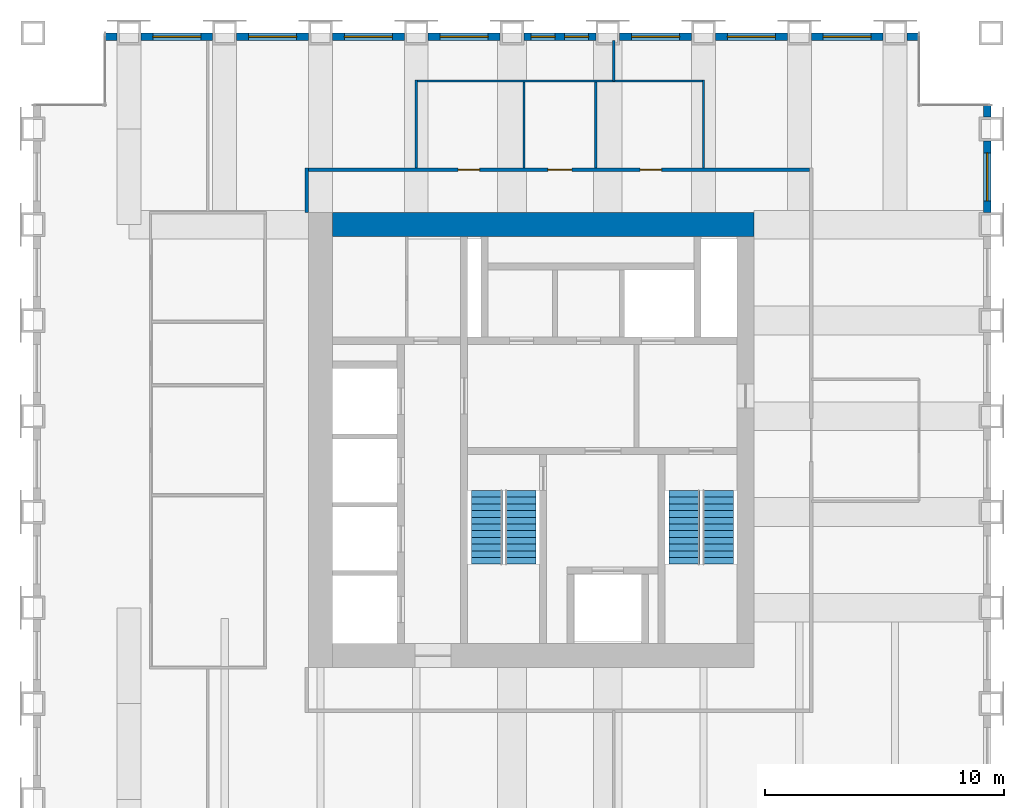
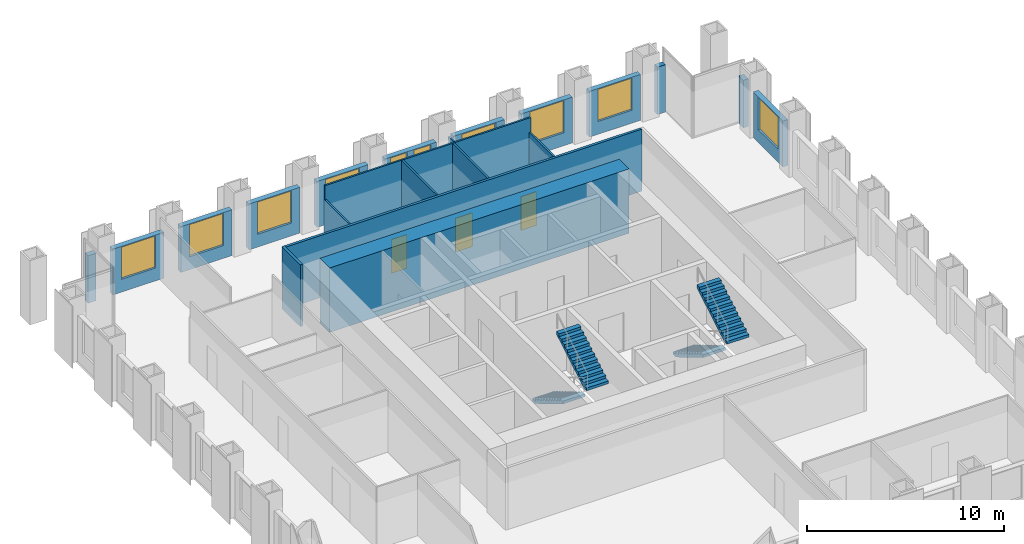
# One storey, part 9 of 10: 21 walls, 10 windows, 4 stair flights, 3 doors, 13 openings, 2 elements without a shape of their own.
"""IFC4 building model written with IfcOpenShell, lengths in metres."""

from ifc_helpers import new_model, si_unit, direction, frame, frame_2d, origin, place, context, subcontext, project, spatial, polyline, rectangle, outline, extrude, material, layer, layer_set, type_object, element, fill, aggregate, save


model = new_model("IFC4")

# Units and contexts
model_context = context("Model", 3, precision=1e-05, world=origin(), true_north=direction((0.0, 1.0)))
body_context = subcontext(model_context, "Body", "Model", "MODEL_VIEW")
ifc_project = project(units=[si_unit("LENGTHUNIT", "METRE"), si_unit("AREAUNIT", "SQUARE_METRE"), si_unit("VOLUMEUNIT", "CUBIC_METRE"), si_unit("PLANEANGLEUNIT", "RADIAN"), si_unit("MASSUNIT", "GRAM", prefix="KILO")], contexts=[model_context])

# Site, building, storey
site_placement = place(None, origin())
site = spatial("IfcSite", under=ifc_project, at=site_placement, CompositionType="ELEMENT")
building_placement = place(site_placement, origin())
building = spatial("IfcBuilding", under=site, at=building_placement, Name="Rimbunsela Tower", CompositionType="ELEMENT")
storey_placement = place(building_placement, frame((0.0, 0.0, 274.199951171875)))
storey = spatial("IfcBuildingStorey", under=building, at=storey_placement, Name="L66", CompositionType="ELEMENT", Elevation=274.199951171875)

# Walls
ifc_material_1 = material(Name="Concrete fc' 80 MPa", Category="concrete")
ifc_layer_1 = layer(ifc_material_1, 1.0)
ifc_layer_set_1 = layer_set([ifc_layer_1], Name="Core wall 1000")
wall_type_1 = type_object("IfcWallType", Name="Core wall 1000", PredefinedType="SHEAR", material=ifc_layer_set_1)
wall_1_placement = place(storey_placement, frame((18.5, 36.0, -0.14990234375), z_axis=(0.0, 0.0, 1.0), x_axis=(1.0, 0.0, 0.0)))
element("IfcWall", 1, at=wall_1_placement, inside=storey, type_object=wall_type_1, Name="Core wall north", PredefinedType="SHEAR", context=body_context, shape_type="SweptSolid", body=[
    extrude(rectangle(XDim=17.60009765625, YDim=1.0, at=frame_2d((8.800048828125, 0.0))), origin(), (0.0, 0.0, 1.0), 4.0),
])
ifc_material_2 = material(Name="Gypsum board on steel studs", Category="steel")
ifc_layer_2 = layer(ifc_material_2, 0.10009765625)
ifc_layer_set_2 = layer_set([ifc_layer_2], Name="Office partition 100")
wall_type_2 = type_object("IfcWallType", Name="Office partition 100", PredefinedType="PARTITIONING", material=ifc_layer_set_2)
wall_2_placement = place(storey_placement, frame((30.25, 43.699951171875, 0.0), z_axis=(0.0, 0.0, 1.0), x_axis=(0.0, -1.0, 0.0)))
element("IfcWall", 2, at=wall_2_placement, inside=storey, type_object=wall_type_2, Name="Office partition", PredefinedType="PARTITIONING", context=body_context, shape_type="SweptSolid", body=[
    extrude(rectangle(XDim=1.699951171875, YDim=0.10009765625, at=frame_2d((0.85009765625, 0.0))), origin(), (0.0, 0.0, 1.0), 2.949951171875),
])

# Wall, opening, window
ifc_material_3 = material(Name="Precast concrete fc' 35 MPa", Category="concrete")
ifc_layer_3 = layer(ifc_material_3, 0.300048828125)
ifc_layer_set_3 = layer_set([ifc_layer_3], Name="Precast concrete fc' 35 MPa")
wall_type_3 = type_object("IfcWallType", Name="Precast facade panel 300", PredefinedType="ELEMENTEDWALL", material=ifc_layer_set_3)
wall_3_placement = place(storey_placement, frame((45.85009765625, 36.5, 0.0), z_axis=(0.0, 0.0, 1.0), x_axis=(0.0, 1.0, 0.0)))
wall_3 = element("IfcWall", 3, at=wall_3_placement, inside=storey, type_object=wall_type_3, Name="Facade panel E L66", PredefinedType="ELEMENTEDWALL", context=body_context, shape_type="SweptSolid", body=[
    extrude(rectangle(XDim=3.0, YDim=0.300048828125, at=frame_2d((1.5, 0.0))), origin(), (0.0, 0.0, 1.0), 2.85009765625),
])
opening_1_placement = place(wall_3_placement, frame((0.5, 0.0, 0.800048828125)))
opening_1 = element("IfcOpeningElement", 4, at=opening_1_placement, cuts=wall_3, Name="Opening W1", PredefinedType="OPENING", context=body_context, shape_type="SweptSolid", body=[
    extrude(rectangle(XDim=2.0, YDim=2.0, at=frame_2d((1.0, 1.0))), frame((0.0, 0.159912109375, 0.0), z_axis=(0.0, -1.0, 0.0), x_axis=(1.0, 0.0, 0.0)), (0.0, 0.0, 1.0), 0.320068359375),
])
ifc_material_4 = material(Name="Clear glass in aluminium frame", Category="aluminium")
window_type_1 = type_object("IfcWindowType", Name="Window W1 2000x2000", PartitioningType="DOUBLE_PANEL_VERTICAL", PredefinedType="WINDOW", material=ifc_material_4)
window_1_placement = place(opening_1_placement, origin())
window_1 = element("IfcWindow", 5, at=window_1_placement, inside=storey, type_object=window_type_1, Name="Window L66", OverallHeight=2.0, OverallWidth=2.0, PartitioningType="SINGLE_PANEL", PredefinedType="WINDOW", context=body_context, shape_type="SweptSolid", body=[
    extrude(rectangle(XDim=2.0, YDim=2.0, at=frame_2d((1.0, 1.0))), frame((0.0, 0.030029296875, 0.0), z_axis=(0.0, -1.0, 0.0), x_axis=(1.0, 0.0, 0.0)), (0.0, 0.0, 1.0), 0.06005859375),
])
fill(opening_1, window_1)

# Walls
for number, where, z_axis, x_axis, name in (
    (6, (45.85009765625, 40.5, 0.0), (0.0, 0.0, 1.0), (0.0, 1.0, 0.0), "Facade panel E L66"),
    (7, (9.5, 43.85009765625, 0.0), (0.0, 0.0, 1.0), (-1.0, 0.0, 0.0), "Facade panel N L66"),
):
    element("IfcWall", number, at=place(storey_placement, frame(where, z_axis=z_axis, x_axis=x_axis)), inside=storey, type_object=wall_type_3, Name=name, PredefinedType="ELEMENTEDWALL", context=body_context, shape_type="SweptSolid", body=[
        extrude(rectangle(XDim=0.469970703125, YDim=0.300048828125, at=frame_2d((0.23486328125, 0.0))), origin(), (0.0, 0.0, 1.0), 2.949951171875),
    ])

# Wall, opening, window
wall_4_placement = place(storey_placement, frame((13.5, 43.85009765625, 0.0), z_axis=(0.0, 0.0, 1.0), x_axis=(-1.0, 0.0, 0.0)))
wall_4 = element("IfcWall", 8, at=wall_4_placement, inside=storey, type_object=wall_type_3, Name="Facade panel N L66", PredefinedType="ELEMENTEDWALL", context=body_context, shape_type="SweptSolid", body=[
    extrude(rectangle(XDim=3.0, YDim=0.300048828125, at=frame_2d((1.5, 0.0))), origin(), (0.0, 0.0, 1.0), 2.85009765625),
])
opening_2_placement = place(wall_4_placement, frame((0.5, 0.0, 0.800048828125)))
opening_2 = element("IfcOpeningElement", 9, at=opening_2_placement, cuts=wall_4, Name="Opening W1", PredefinedType="OPENING", context=body_context, shape_type="SweptSolid", body=[
    extrude(rectangle(XDim=2.0, YDim=2.0, at=frame_2d((1.0, 1.0))), frame((0.0, 0.159912109375, 0.0), z_axis=(0.0, -1.0, 0.0), x_axis=(1.0, 0.0, 0.0)), (0.0, 0.0, 1.0), 0.320068359375),
])
window_2_placement = place(opening_2_placement, origin())
window_2 = element("IfcWindow", 10, at=window_2_placement, inside=storey, type_object=window_type_1, Name="Window L66", OverallHeight=2.0, OverallWidth=2.0, PartitioningType="SINGLE_PANEL", PredefinedType="WINDOW", context=body_context, shape_type="SweptSolid", body=[
    extrude(rectangle(XDim=2.0, YDim=2.0, at=frame_2d((1.0, 1.0))), frame((0.0, 0.030029296875, 0.0), z_axis=(0.0, -1.0, 0.0), x_axis=(1.0, 0.0, 0.0)), (0.0, 0.0, 1.0), 0.06005859375),
])
fill(opening_2, window_2)

wall_5_placement = place(storey_placement, frame((17.5, 43.85009765625, 0.0), z_axis=(0.0, 0.0, 1.0), x_axis=(-1.0, 0.0, 0.0)))
wall_5 = element("IfcWall", 11, at=wall_5_placement, inside=storey, type_object=wall_type_3, Name="Facade panel N L66", PredefinedType="ELEMENTEDWALL", context=body_context, shape_type="SweptSolid", body=[
    extrude(rectangle(XDim=3.0, YDim=0.300048828125, at=frame_2d((1.5, 0.0))), origin(), (0.0, 0.0, 1.0), 2.85009765625),
])
opening_3_placement = place(wall_5_placement, frame((0.5, 0.0, 0.800048828125)))
opening_3 = element("IfcOpeningElement", 12, at=opening_3_placement, cuts=wall_5, Name="Opening W1", PredefinedType="OPENING", context=body_context, shape_type="SweptSolid", body=[
    extrude(rectangle(XDim=2.0, YDim=2.0, at=frame_2d((1.0, 1.0))), frame((0.0, 0.159912109375, 0.0), z_axis=(0.0, -1.0, 0.0), x_axis=(1.0, 0.0, 0.0)), (0.0, 0.0, 1.0), 0.320068359375),
])
window_3_placement = place(opening_3_placement, origin())
window_3 = element("IfcWindow", 13, at=window_3_placement, inside=storey, type_object=window_type_1, Name="Window L66", OverallHeight=2.0, OverallWidth=2.0, PartitioningType="SINGLE_PANEL", PredefinedType="WINDOW", context=body_context, shape_type="SweptSolid", body=[
    extrude(rectangle(XDim=2.0, YDim=2.0, at=frame_2d((1.0, 1.0))), frame((0.0, 0.030029296875, 0.0), z_axis=(0.0, -1.0, 0.0), x_axis=(1.0, 0.0, 0.0)), (0.0, 0.0, 1.0), 0.06005859375),
])
fill(opening_3, window_3)

wall_6_placement = place(storey_placement, frame((21.5, 43.85009765625, 0.0), z_axis=(0.0, 0.0, 1.0), x_axis=(-1.0, 0.0, 0.0)))
wall_6 = element("IfcWall", 14, at=wall_6_placement, inside=storey, type_object=wall_type_3, Name="Facade panel N L66", PredefinedType="ELEMENTEDWALL", context=body_context, shape_type="SweptSolid", body=[
    extrude(rectangle(XDim=3.0, YDim=0.300048828125, at=frame_2d((1.5, 0.0))), origin(), (0.0, 0.0, 1.0), 2.85009765625),
])
opening_4_placement = place(wall_6_placement, frame((0.5, 0.0, 0.800048828125)))
opening_4 = element("IfcOpeningElement", 15, at=opening_4_placement, cuts=wall_6, Name="Opening W1", PredefinedType="OPENING", context=body_context, shape_type="SweptSolid", body=[
    extrude(rectangle(XDim=2.0, YDim=2.0, at=frame_2d((1.0, 1.0))), frame((0.0, 0.159912109375, 0.0), z_axis=(0.0, -1.0, 0.0), x_axis=(1.0, 0.0, 0.0)), (0.0, 0.0, 1.0), 0.320068359375),
])
window_4_placement = place(opening_4_placement, origin())
window_4 = element("IfcWindow", 16, at=window_4_placement, inside=storey, type_object=window_type_1, Name="Window L66", OverallHeight=2.0, OverallWidth=2.0, PartitioningType="SINGLE_PANEL", PredefinedType="WINDOW", context=body_context, shape_type="SweptSolid", body=[
    extrude(rectangle(XDim=2.0, YDim=2.0, at=frame_2d((1.0, 1.0))), frame((0.0, 0.030029296875, 0.0), z_axis=(0.0, -1.0, 0.0), x_axis=(1.0, 0.0, 0.0)), (0.0, 0.0, 1.0), 0.06005859375),
])
fill(opening_4, window_4)

wall_7_placement = place(storey_placement, frame((25.5, 43.85009765625, 0.0), z_axis=(0.0, 0.0, 1.0), x_axis=(-1.0, 0.0, 0.0)))
wall_7 = element("IfcWall", 17, at=wall_7_placement, inside=storey, type_object=wall_type_3, Name="Facade panel N L66", PredefinedType="ELEMENTEDWALL", context=body_context, shape_type="SweptSolid", body=[
    extrude(rectangle(XDim=3.0, YDim=0.300048828125, at=frame_2d((1.5, 0.0))), origin(), (0.0, 0.0, 1.0), 2.85009765625),
])
opening_5_placement = place(wall_7_placement, frame((0.5, 0.0, 0.800048828125)))
opening_5 = element("IfcOpeningElement", 18, at=opening_5_placement, cuts=wall_7, Name="Opening W1", PredefinedType="OPENING", context=body_context, shape_type="SweptSolid", body=[
    extrude(rectangle(XDim=2.0, YDim=2.0, at=frame_2d((1.0, 1.0))), frame((0.0, 0.159912109375, 0.0), z_axis=(0.0, -1.0, 0.0), x_axis=(1.0, 0.0, 0.0)), (0.0, 0.0, 1.0), 0.320068359375),
])
window_5_placement = place(opening_5_placement, origin())
window_5 = element("IfcWindow", 19, at=window_5_placement, inside=storey, type_object=window_type_1, Name="Window L66", OverallHeight=2.0, OverallWidth=2.0, PartitioningType="SINGLE_PANEL", PredefinedType="WINDOW", context=body_context, shape_type="SweptSolid", body=[
    extrude(rectangle(XDim=2.0, YDim=2.0, at=frame_2d((1.0, 1.0))), frame((0.0, 0.030029296875, 0.0), z_axis=(0.0, -1.0, 0.0), x_axis=(1.0, 0.0, 0.0)), (0.0, 0.0, 1.0), 0.06005859375),
])
fill(opening_5, window_5)

# Wall, openings, windows
wall_8_placement = place(storey_placement, frame((29.5, 43.85009765625, 0.0), z_axis=(0.0, 0.0, 1.0), x_axis=(-1.0, 0.0, 0.0)))
wall_8 = element("IfcWall", 20, at=wall_8_placement, inside=storey, type_object=wall_type_3, Name="Facade panel N L66", PredefinedType="ELEMENTEDWALL", context=body_context, shape_type="SweptSolid", body=[
    extrude(rectangle(XDim=3.0, YDim=0.300048828125, at=frame_2d((1.5, 0.0))), origin(), (0.0, 0.0, 1.0), 2.85009765625),
])
opening_6_placement = place(wall_8_placement, frame((1.699951171875, 0.0, 0.800048828125)))
opening_6 = element("IfcOpeningElement", 21, at=opening_6_placement, cuts=wall_8, Name="Opening W5", PredefinedType="OPENING", context=body_context, shape_type="SweptSolid", body=[
    extrude(rectangle(XDim=1.0, YDim=2.0, at=frame_2d((0.5, 1.0))), frame((0.0, 0.159912109375, 0.0), z_axis=(0.0, -1.0, 0.0), x_axis=(1.0, 0.0, 0.0)), (0.0, 0.0, 1.0), 0.320068359375),
])
opening_7_placement = place(wall_8_placement, frame((0.300048828125, 0.0, 0.800048828125)))
opening_7 = element("IfcOpeningElement", 22, at=opening_7_placement, cuts=wall_8, Name="Opening W5", PredefinedType="OPENING", context=body_context, shape_type="SweptSolid", body=[
    extrude(rectangle(XDim=1.0, YDim=2.0, at=frame_2d((0.5, 1.0))), frame((0.0, 0.159912109375, 0.0), z_axis=(0.0, -1.0, 0.0), x_axis=(1.0, 0.0, 0.0)), (0.0, 0.0, 1.0), 0.320068359375),
])
ifc_material_5 = material(Name="Clear glass in aluminium frame", Category="aluminium")
window_type_2 = type_object("IfcWindowType", Name="Window W5 1000x2000", PartitioningType="SINGLE_PANEL", PredefinedType="WINDOW", material=ifc_material_5)
window_6_placement = place(opening_6_placement, origin())
window_6 = element("IfcWindow", 23, at=window_6_placement, inside=storey, type_object=window_type_2, Name="Window L66", OverallHeight=2.0, OverallWidth=1.0, PartitioningType="SINGLE_PANEL", PredefinedType="WINDOW", context=body_context, shape_type="SweptSolid", body=[
    extrude(rectangle(XDim=1.0, YDim=2.0, at=frame_2d((0.5, 1.0))), frame((0.0, 0.030029296875, 0.0), z_axis=(0.0, -1.0, 0.0), x_axis=(1.0, 0.0, 0.0)), (0.0, 0.0, 1.0), 0.06005859375),
])
fill(opening_6, window_6)
window_7_placement = place(opening_7_placement, origin())
window_7 = element("IfcWindow", 24, at=window_7_placement, inside=storey, type_object=window_type_2, Name="Window L66", OverallHeight=2.0, OverallWidth=1.0, PartitioningType="SINGLE_PANEL", PredefinedType="WINDOW", context=body_context, shape_type="SweptSolid", body=[
    extrude(rectangle(XDim=1.0, YDim=2.0, at=frame_2d((0.5, 1.0))), frame((0.0, 0.030029296875, 0.0), z_axis=(0.0, -1.0, 0.0), x_axis=(1.0, 0.0, 0.0)), (0.0, 0.0, 1.0), 0.06005859375),
])
fill(opening_7, window_7)

# Wall, opening, window
wall_9_placement = place(storey_placement, frame((33.5, 43.85009765625, 0.0), z_axis=(0.0, 0.0, 1.0), x_axis=(-1.0, 0.0, 0.0)))
wall_9 = element("IfcWall", 25, at=wall_9_placement, inside=storey, type_object=wall_type_3, Name="Facade panel N L66", PredefinedType="ELEMENTEDWALL", context=body_context, shape_type="SweptSolid", body=[
    extrude(rectangle(XDim=3.0, YDim=0.300048828125, at=frame_2d((1.5, 0.0))), origin(), (0.0, 0.0, 1.0), 2.85009765625),
])
opening_8_placement = place(wall_9_placement, frame((0.5, 0.0, 0.800048828125)))
opening_8 = element("IfcOpeningElement", 26, at=opening_8_placement, cuts=wall_9, Name="Opening W1", PredefinedType="OPENING", context=body_context, shape_type="SweptSolid", body=[
    extrude(rectangle(XDim=2.0, YDim=2.0, at=frame_2d((1.0, 1.0))), frame((0.0, 0.159912109375, 0.0), z_axis=(0.0, -1.0, 0.0), x_axis=(1.0, 0.0, 0.0)), (0.0, 0.0, 1.0), 0.320068359375),
])
window_8_placement = place(opening_8_placement, origin())
window_8 = element("IfcWindow", 27, at=window_8_placement, inside=storey, type_object=window_type_1, Name="Window L66", OverallHeight=2.0, OverallWidth=2.0, PartitioningType="SINGLE_PANEL", PredefinedType="WINDOW", context=body_context, shape_type="SweptSolid", body=[
    extrude(rectangle(XDim=2.0, YDim=2.0, at=frame_2d((1.0, 1.0))), frame((0.0, 0.030029296875, 0.0), z_axis=(0.0, -1.0, 0.0), x_axis=(1.0, 0.0, 0.0)), (0.0, 0.0, 1.0), 0.06005859375),
])
fill(opening_8, window_8)

wall_10_placement = place(storey_placement, frame((37.5, 43.85009765625, 0.0), z_axis=(0.0, 0.0, 1.0), x_axis=(-1.0, 0.0, 0.0)))
wall_10 = element("IfcWall", 28, at=wall_10_placement, inside=storey, type_object=wall_type_3, Name="Facade panel N L66", PredefinedType="ELEMENTEDWALL", context=body_context, shape_type="SweptSolid", body=[
    extrude(rectangle(XDim=3.0, YDim=0.300048828125, at=frame_2d((1.5, 0.0))), origin(), (0.0, 0.0, 1.0), 2.85009765625),
])
opening_9_placement = place(wall_10_placement, frame((0.5, 0.0, 0.800048828125)))
opening_9 = element("IfcOpeningElement", 29, at=opening_9_placement, cuts=wall_10, Name="Opening W1", PredefinedType="OPENING", context=body_context, shape_type="SweptSolid", body=[
    extrude(rectangle(XDim=2.0, YDim=2.0, at=frame_2d((1.0, 1.0))), frame((0.0, 0.159912109375, 0.0), z_axis=(0.0, -1.0, 0.0), x_axis=(1.0, 0.0, 0.0)), (0.0, 0.0, 1.0), 0.320068359375),
])
window_9_placement = place(opening_9_placement, origin())
window_9 = element("IfcWindow", 30, at=window_9_placement, inside=storey, type_object=window_type_1, Name="Window L66", OverallHeight=2.0, OverallWidth=2.0, PartitioningType="SINGLE_PANEL", PredefinedType="WINDOW", context=body_context, shape_type="SweptSolid", body=[
    extrude(rectangle(XDim=2.0, YDim=2.0, at=frame_2d((1.0, 1.0))), frame((0.0, 0.030029296875, 0.0), z_axis=(0.0, -1.0, 0.0), x_axis=(1.0, 0.0, 0.0)), (0.0, 0.0, 1.0), 0.06005859375),
])
fill(opening_9, window_9)

wall_11_placement = place(storey_placement, frame((41.5, 43.85009765625, 0.0), z_axis=(0.0, 0.0, 1.0), x_axis=(-1.0, 0.0, 0.0)))
wall_11 = element("IfcWall", 31, at=wall_11_placement, inside=storey, type_object=wall_type_3, Name="Facade panel N L66", PredefinedType="ELEMENTEDWALL", context=body_context, shape_type="SweptSolid", body=[
    extrude(rectangle(XDim=3.0, YDim=0.300048828125, at=frame_2d((1.5, 0.0))), origin(), (0.0, 0.0, 1.0), 2.85009765625),
])
opening_10_placement = place(wall_11_placement, frame((0.5, 0.0, 0.800048828125)))
opening_10 = element("IfcOpeningElement", 32, at=opening_10_placement, cuts=wall_11, Name="Opening W1", PredefinedType="OPENING", context=body_context, shape_type="SweptSolid", body=[
    extrude(rectangle(XDim=2.0, YDim=2.0, at=frame_2d((1.0, 1.0))), frame((0.0, 0.159912109375, 0.0), z_axis=(0.0, -1.0, 0.0), x_axis=(1.0, 0.0, 0.0)), (0.0, 0.0, 1.0), 0.320068359375),
])
window_10_placement = place(opening_10_placement, origin())
window_10 = element("IfcWindow", 33, at=window_10_placement, inside=storey, type_object=window_type_1, Name="Window L66", OverallHeight=2.0, OverallWidth=2.0, PartitioningType="SINGLE_PANEL", PredefinedType="WINDOW", context=body_context, shape_type="SweptSolid", body=[
    extrude(rectangle(XDim=2.0, YDim=2.0, at=frame_2d((1.0, 1.0))), frame((0.0, 0.030029296875, 0.0), z_axis=(0.0, -1.0, 0.0), x_axis=(1.0, 0.0, 0.0)), (0.0, 0.0, 1.0), 0.06005859375),
])
fill(opening_10, window_10)

# Walls
wall_12_placement = place(storey_placement, frame((42.969970703125, 43.85009765625, 0.0), z_axis=(0.0, 0.0, 1.0), x_axis=(-1.0, 0.0, 0.0)))
element("IfcWall", 34, at=wall_12_placement, inside=storey, type_object=wall_type_3, Name="Facade panel N L66", PredefinedType="ELEMENTEDWALL", context=body_context, shape_type="SweptSolid", body=[
    extrude(rectangle(XDim=0.469970703125, YDim=0.300048828125, at=frame_2d((0.23486328125, 0.0))), origin(), (0.0, 0.0, 1.0), 2.949951171875),
])
ifc_material_6 = material(Name="Fire-rated gypsum board on steel studs, EI 60", Category="steel")
ifc_layer_4 = layer(ifc_material_6, 0.14990234375)
ifc_layer_set_4 = layer_set([ifc_layer_4], Name="Rated corridor wall 150")
wall_type_4 = type_object("IfcWallType", Name="Rated corridor wall 150", PredefinedType="PARTITIONING", material=ifc_layer_set_4)
wall_13_placement = place(storey_placement, frame((17.425048828125, 36.5, 0.0), z_axis=(0.0, 0.0, 1.0), x_axis=(0.0, 1.0, 0.0)))
element("IfcWall", 35, at=wall_13_placement, inside=storey, type_object=wall_type_4, Name="Corridor end wall north", PredefinedType="PARTITIONING", context=body_context, shape_type="SweptSolid", body=[
    extrude(rectangle(XDim=1.875, YDim=0.14990234375, at=frame_2d((0.9375, 0.0))), origin(), (0.0, 0.0, 1.0), 3.85009765625),
])

# Wall, openings, doors
wall_14_placement = place(storey_placement, frame((17.5, 38.300048828125, 0.0), z_axis=(0.0, 0.0, 1.0), x_axis=(1.0, 0.0, 0.0)))
wall_14 = element("IfcWall", 36, at=wall_14_placement, inside=storey, type_object=wall_type_4, Name="Corridor wall north", PredefinedType="PARTITIONING", context=body_context, shape_type="SweptSolid", body=[
    extrude(rectangle(XDim=20.925048828125, YDim=0.14990234375, at=frame_2d((10.46240234375, 0.0))), origin(), (0.0, 0.0, 1.0), 3.85009765625),
])
opening_11_placement = place(wall_14_placement, frame((6.25, 0.0, 0.0)))
opening_11 = element("IfcOpeningElement", 37, at=opening_11_placement, cuts=wall_14, Name="Opening D04", PredefinedType="OPENING", context=body_context, shape_type="SweptSolid", body=[
    extrude(rectangle(XDim=0.89990234375, YDim=2.10009765625, at=frame_2d((0.449951171875, 1.050048828125))), frame((0.0, 0.0849609375, 0.0), z_axis=(0.0, -1.0, 0.0), x_axis=(1.0, 0.0, 0.0)), (0.0, 0.0, 1.0), 0.169921875),
])
opening_12_placement = place(wall_14_placement, frame((10.0, 0.0, 0.0)))
opening_12 = element("IfcOpeningElement", 38, at=opening_12_placement, cuts=wall_14, Name="Opening D05", PredefinedType="OPENING", context=body_context, shape_type="SweptSolid", body=[
    extrude(rectangle(XDim=1.0, YDim=2.10009765625, at=frame_2d((0.5, 1.050048828125))), frame((0.0, 0.0849609375, 0.0), z_axis=(0.0, -1.0, 0.0), x_axis=(1.0, 0.0, 0.0)), (0.0, 0.0, 1.0), 0.169921875),
])
opening_13_placement = place(wall_14_placement, frame((13.85009765625, 0.0, 0.0)))
opening_13 = element("IfcOpeningElement", 39, at=opening_13_placement, cuts=wall_14, Name="Opening D04", PredefinedType="OPENING", context=body_context, shape_type="SweptSolid", body=[
    extrude(rectangle(XDim=0.89990234375, YDim=2.10009765625, at=frame_2d((0.449951171875, 1.050048828125))), frame((0.0, 0.0849609375, 0.0), z_axis=(0.0, -1.0, 0.0), x_axis=(1.0, 0.0, 0.0)), (0.0, 0.0, 1.0), 0.169921875),
])
ifc_material_7 = material(Name="Timber door", Category="wood")
door_type_1 = type_object("IfcDoorType", Name="Accessible WC door 1000", OperationType="SLIDING_TO_LEFT", PredefinedType="DOOR", material=ifc_material_7)
door_1_placement = place(opening_12_placement, origin())
door_1 = element("IfcDoor", 40, at=door_1_placement, inside=storey, type_object=door_type_1, Name="Accessible WC door", OperationType="SLIDING_TO_LEFT", OverallHeight=2.10009765625, OverallWidth=1.0, PredefinedType="DOOR", context=body_context, shape_type="SweptSolid", body=[
    extrude(rectangle(XDim=1.0, YDim=2.10009765625, at=frame_2d((0.5, 1.050048828125))), frame((0.0, 0.02490234375, 0.0), z_axis=(0.0, -1.0, 0.0), x_axis=(1.0, 0.0, 0.0)), (0.0, 0.0, 1.0), 0.050048828125),
])
fill(opening_12, door_1)
ifc_material_8 = material(Name="Timber door", Category="wood")
door_type_2 = type_object("IfcDoorType", Name="Toilet door 900", OperationType="SINGLE_SWING_LEFT", PredefinedType="DOOR", material=ifc_material_8)
door_2_placement = place(opening_11_placement, origin())
door_2 = element("IfcDoor", 41, at=door_2_placement, inside=storey, type_object=door_type_2, Name="Female WC door", OperationType="SINGLE_SWING_LEFT", OverallHeight=2.10009765625, OverallWidth=0.89990234375, PredefinedType="DOOR", context=body_context, shape_type="SweptSolid", body=[
    extrude(rectangle(XDim=0.89990234375, YDim=2.10009765625, at=frame_2d((0.449951171875, 1.050048828125))), frame((0.0, 0.02490234375, 0.0), z_axis=(0.0, -1.0, 0.0), x_axis=(1.0, 0.0, 0.0)), (0.0, 0.0, 1.0), 0.050048828125),
])
fill(opening_11, door_2)
door_3_placement = place(opening_13_placement, origin())
door_3 = element("IfcDoor", 42, at=door_3_placement, inside=storey, type_object=door_type_2, Name="Male WC door", OperationType="SINGLE_SWING_LEFT", OverallHeight=2.10009765625, OverallWidth=0.89990234375, PredefinedType="DOOR", context=body_context, shape_type="SweptSolid", body=[
    extrude(rectangle(XDim=0.89990234375, YDim=2.10009765625, at=frame_2d((0.449951171875, 1.050048828125))), frame((0.0, 0.02490234375, 0.0), z_axis=(0.0, -1.0, 0.0), x_axis=(1.0, 0.0, 0.0)), (0.0, 0.0, 1.0), 0.050048828125),
])
fill(opening_13, door_3)

# Walls
ifc_material_9 = material(Name="Concrete blockwork", Category="masonry")
ifc_layer_5 = layer(ifc_material_9, 0.10009765625)
ifc_layer_set_5 = layer_set([ifc_layer_5], Name="Toilet partition 100")
wall_type_5 = type_object("IfcWallType", Name="Toilet partition 100", PredefinedType="PARTITIONING", material=ifc_layer_set_5)
for number, where, z_axis, x_axis, name in (
    (43, (22.0, 38.375, 0.0), (0.0, 0.0, 1.0), (0.0, 1.0, 0.0), "Toilet block wall west"),
    (44, (34.0, 38.375, 0.0), (0.0, 0.0, 1.0), (0.0, 1.0, 0.0), "Toilet block wall east"),
):
    element("IfcWall", number, at=place(storey_placement, frame(where, z_axis=z_axis, x_axis=x_axis)), inside=storey, type_object=wall_type_5, Name=name, PredefinedType="PARTITIONING", context=body_context, shape_type="SweptSolid", body=[
        extrude(rectangle(XDim=3.675048828125, YDim=0.10009765625, at=frame_2d((1.83740234375, 0.0))), origin(), (0.0, 0.0, 1.0), 2.949951171875),
    ])
wall_15_placement = place(storey_placement, frame((21.949951171875, 42.0, 0.0), z_axis=(0.0, 0.0, 1.0), x_axis=(1.0, 0.0, 0.0)))
element("IfcWall", 45, at=wall_15_placement, inside=storey, type_object=wall_type_5, Name="Toilet block wall north", PredefinedType="PARTITIONING", context=body_context, shape_type="SweptSolid", body=[
    extrude(rectangle(XDim=12.10009765625, YDim=0.10009765625, at=frame_2d((6.050048828125, 0.0))), origin(), (0.0, 0.0, 1.0), 3.85009765625),
])
for number, where, z_axis, x_axis, name in (
    (46, (26.5, 38.375, 0.0), (0.0, 0.0, 1.0), (0.0, 1.0, 0.0), "Toilet partition"),
    (47, (29.5, 38.375, 0.0), (0.0, 0.0, 1.0), (0.0, 1.0, 0.0), "Toilet partition"),
):
    element("IfcWall", number, at=place(storey_placement, frame(where, z_axis=z_axis, x_axis=x_axis)), inside=storey, type_object=wall_type_5, Name=name, PredefinedType="PARTITIONING", context=body_context, shape_type="SweptSolid", body=[
        extrude(rectangle(XDim=3.574951171875, YDim=0.10009765625, at=frame_2d((1.78759765625, 0.0))), origin(), (0.0, 0.0, 1.0), 3.85009765625),
    ])

# Stair, stair flights
ifc_material_10 = material(Name="Concrete fc' 35 MPa", Category="concrete")
stair_type = type_object("IfcStairType", Name="Exit stair 24 risers", PredefinedType="HALF_TURN_STAIR", material=ifc_material_10)
stair_1_placement = place(storey_placement, origin())
stair_1 = element("IfcStair", 48, at=stair_1_placement, inside=storey, type_object=stair_type, Name="Exit stair A L66", PredefinedType="HALF_TURN_STAIR")
ifc_material_11 = material(Name="Concrete fc' 35 MPa", Category="concrete")
stair_flight_type = type_object("IfcStairFlightType", Name="Stair flight 12 risers 167", PredefinedType="STRAIGHT", material=ifc_material_11)
stair_flight_1_placement = place(storey_placement, frame((24.949951171875, 24.89990234375, 0.0), z_axis=(0.0, 0.0, 1.0), x_axis=(0.0, -1.0, 0.0)))
stair_flight_1 = element("IfcStairFlight", 49, at=stair_flight_1_placement, type_object=stair_flight_type, Name="ST-A flight 1", NumberOfRisers=12, NumberOfTreads=11, PredefinedType="STRAIGHT", RiserHeight=0.166666667, TreadLength=0.28, context=body_context, shape_type="SweptSolid", body=[
    extrude(outline(polyline([(0.0, 0.0), (0.0, 0.166748046875), (0.280029296875, 0.166748046875), (0.280029296875, 0.333251953125), (0.56005859375, 0.333251953125), (0.56005859375, 0.5), (0.840087890625, 0.5), (0.840087890625, 0.666748046875), (1.1201171875, 0.666748046875), (1.1201171875, 0.833251953125), (1.39990234375, 0.833251953125), (1.39990234375, 1.0), (1.679931640625, 1.0), (1.679931640625, 1.166748046875), (1.9599609375, 1.166748046875), (1.9599609375, 1.333251953125), (2.239990234375, 1.333251953125), (2.239990234375, 1.5), (2.52001953125, 1.5), (2.52001953125, 1.666748046875), (2.800048828125, 1.666748046875), (2.800048828125, 1.833251953125), (3.080078125, 1.833251953125), (3.080078125, 2.0), (3.080078125, 1.658935546875), (0.29296875, 0.0), (0.0, 0.0)])), frame((0.0, 0.64990234375, 0.0), z_axis=(0.0, -1.0, 0.0), x_axis=(1.0, 0.0, 0.0)), (0.0, 0.0, 1.0), 1.300048828125),
])
stair_flight_2_placement = place(storey_placement, frame((26.35009765625, 21.820068359375, 2.0), z_axis=(0.0, 0.0, 1.0), x_axis=(0.0, 1.0, 0.0)))
stair_flight_2 = element("IfcStairFlight", 50, at=stair_flight_2_placement, type_object=stair_flight_type, Name="ST-A flight 2", NumberOfRisers=12, NumberOfTreads=11, PredefinedType="STRAIGHT", RiserHeight=0.166666667, TreadLength=0.28, context=body_context, shape_type="SweptSolid", body=[
    extrude(outline(polyline([(0.0, 0.0), (0.0, 0.166748046875), (0.280029296875, 0.166748046875), (0.280029296875, 0.333251953125), (0.56005859375, 0.333251953125), (0.56005859375, 0.5), (0.840087890625, 0.5), (0.840087890625, 0.666748046875), (1.1201171875, 0.666748046875), (1.1201171875, 0.833251953125), (1.39990234375, 0.833251953125), (1.39990234375, 1.0), (1.679931640625, 1.0), (1.679931640625, 1.166748046875), (1.9599609375, 1.166748046875), (1.9599609375, 1.333251953125), (2.239990234375, 1.333251953125), (2.239990234375, 1.5), (2.52001953125, 1.5), (2.52001953125, 1.666748046875), (2.800048828125, 1.666748046875), (2.800048828125, 1.833251953125), (3.080078125, 1.833251953125), (3.080078125, 2.0), (3.080078125, 1.658935546875), (0.29296875, 0.0), (0.0, 0.0)])), frame((0.0, 0.64990234375, 0.0), z_axis=(0.0, -1.0, 0.0), x_axis=(1.0, 0.0, 0.0)), (0.0, 0.0, 1.0), 1.300048828125),
])
aggregate(stair_1, [stair_flight_1, stair_flight_2])

stair_2_placement = place(storey_placement, origin())
stair_2 = element("IfcStair", 51, at=stair_2_placement, inside=storey, type_object=stair_type, Name="Exit stair B L66", PredefinedType="HALF_TURN_STAIR")
stair_flight_3_placement = place(storey_placement, frame((33.199951171875, 24.89990234375, 0.0), z_axis=(0.0, 0.0, 1.0), x_axis=(0.0, -1.0, 0.0)))
stair_flight_3 = element("IfcStairFlight", 52, at=stair_flight_3_placement, type_object=stair_flight_type, Name="ST-B flight 1", NumberOfRisers=12, NumberOfTreads=11, PredefinedType="STRAIGHT", RiserHeight=0.166666667, TreadLength=0.28, context=body_context, shape_type="SweptSolid", body=[
    extrude(outline(polyline([(0.0, 0.0), (0.0, 0.166748046875), (0.280029296875, 0.166748046875), (0.280029296875, 0.333251953125), (0.56005859375, 0.333251953125), (0.56005859375, 0.5), (0.840087890625, 0.5), (0.840087890625, 0.666748046875), (1.1201171875, 0.666748046875), (1.1201171875, 0.833251953125), (1.39990234375, 0.833251953125), (1.39990234375, 1.0), (1.679931640625, 1.0), (1.679931640625, 1.166748046875), (1.9599609375, 1.166748046875), (1.9599609375, 1.333251953125), (2.239990234375, 1.333251953125), (2.239990234375, 1.5), (2.52001953125, 1.5), (2.52001953125, 1.666748046875), (2.800048828125, 1.666748046875), (2.800048828125, 1.833251953125), (3.080078125, 1.833251953125), (3.080078125, 2.0), (3.080078125, 1.658935546875), (0.29296875, 0.0), (0.0, 0.0)])), frame((0.0, 0.64990234375, 0.0), z_axis=(0.0, -1.0, 0.0), x_axis=(1.0, 0.0, 0.0)), (0.0, 0.0, 1.0), 1.300048828125),
])
stair_flight_4_placement = place(storey_placement, frame((34.60009765625, 21.820068359375, 2.0), z_axis=(0.0, 0.0, 1.0), x_axis=(0.0, 1.0, 0.0)))
stair_flight_4 = element("IfcStairFlight", 53, at=stair_flight_4_placement, type_object=stair_flight_type, Name="ST-B flight 2", NumberOfRisers=12, NumberOfTreads=11, PredefinedType="STRAIGHT", RiserHeight=0.166666667, TreadLength=0.28, context=body_context, shape_type="SweptSolid", body=[
    extrude(outline(polyline([(0.0, 0.0), (0.0, 0.166748046875), (0.280029296875, 0.166748046875), (0.280029296875, 0.333251953125), (0.56005859375, 0.333251953125), (0.56005859375, 0.5), (0.840087890625, 0.5), (0.840087890625, 0.666748046875), (1.1201171875, 0.666748046875), (1.1201171875, 0.833251953125), (1.39990234375, 0.833251953125), (1.39990234375, 1.0), (1.679931640625, 1.0), (1.679931640625, 1.166748046875), (1.9599609375, 1.166748046875), (1.9599609375, 1.333251953125), (2.239990234375, 1.333251953125), (2.239990234375, 1.5), (2.52001953125, 1.5), (2.52001953125, 1.666748046875), (2.800048828125, 1.666748046875), (2.800048828125, 1.833251953125), (3.080078125, 1.833251953125), (3.080078125, 2.0), (3.080078125, 1.658935546875), (0.29296875, 0.0), (0.0, 0.0)])), frame((0.0, 0.64990234375, 0.0), z_axis=(0.0, -1.0, 0.0), x_axis=(1.0, 0.0, 0.0)), (0.0, 0.0, 1.0), 1.300048828125),
])
aggregate(stair_2, [stair_flight_3, stair_flight_4])

save(model, "model.ifc")
